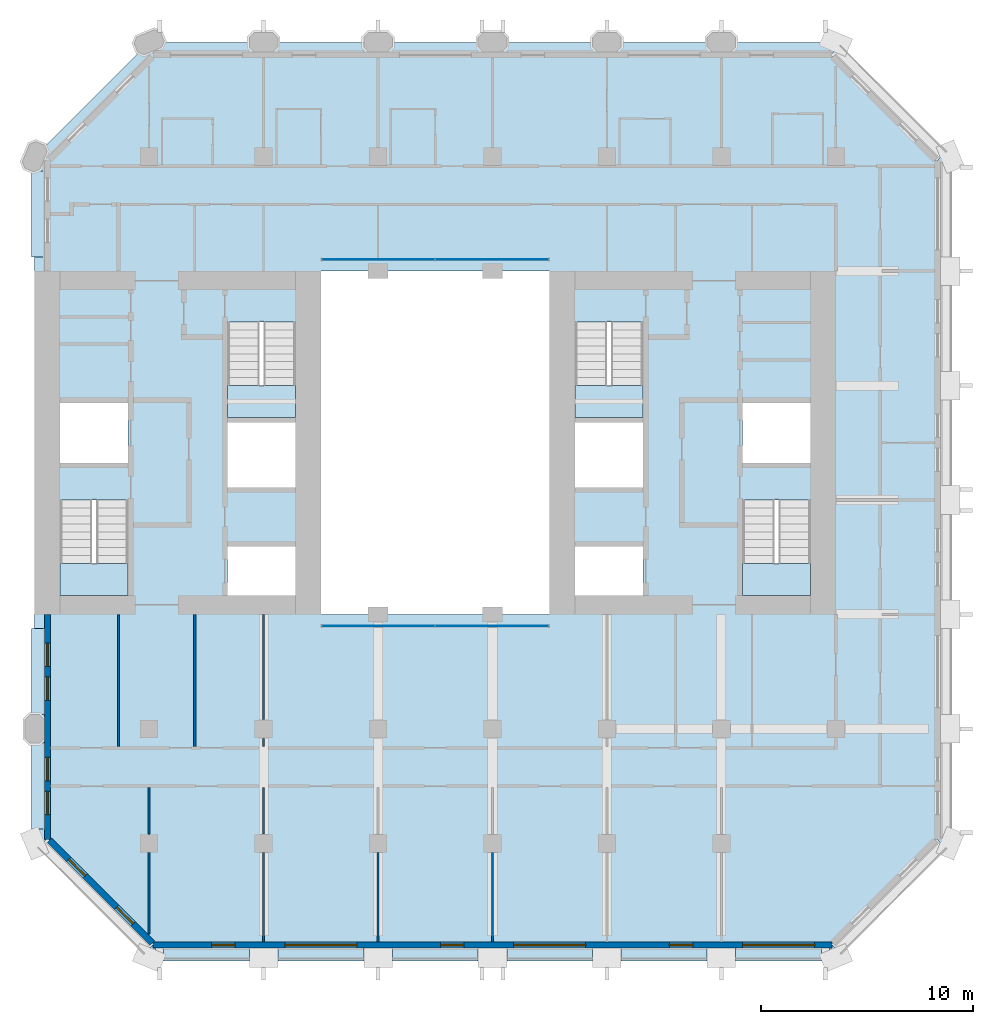
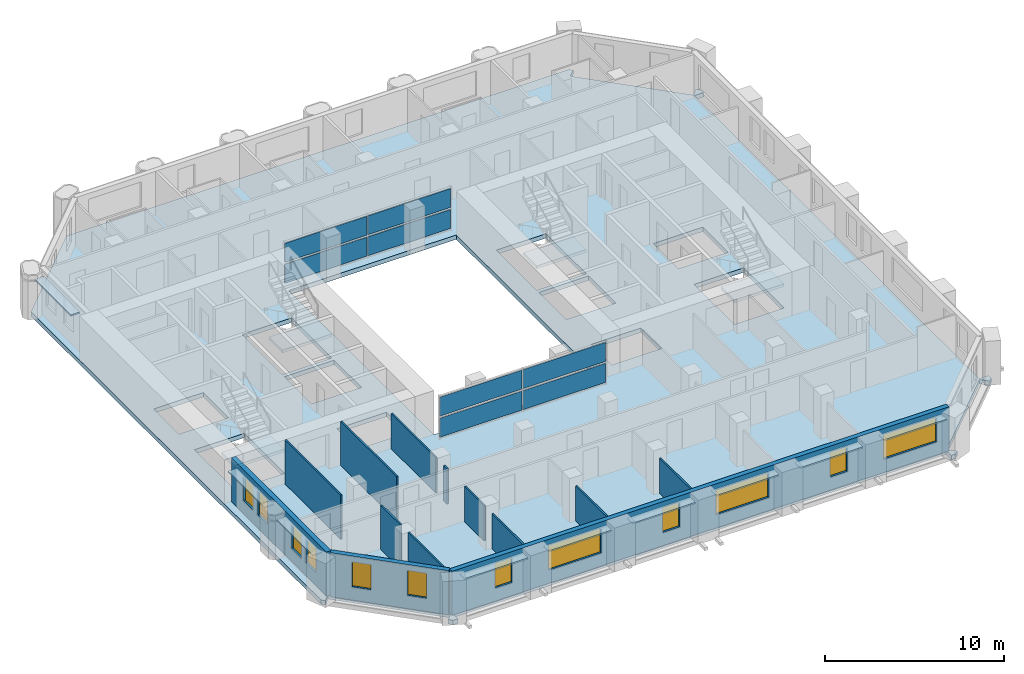
# One storey, part 5 of 13: 17 plates, 13 walls, 12 windows, 5 slabs, 12 openings, 6 elements without a shape of their own.
"""IFC4 building model written with IfcOpenShell, lengths in metres."""

from ifc_helpers import new_model, si_unit, direction, frame, frame_2d, origin, origin_2d, place, context, subcontext, project, spatial, polyline, rectangle, outline, extrude, material, layer, layer_set, type_object, element, fill, aggregate, save


model = new_model("IFC4")

# Units and contexts
model_context = context("Model", 3, precision=1e-05, world=origin(), true_north=direction((0.0, 1.0)))
body_context = subcontext(model_context, "Body", "Model", "MODEL_VIEW")
ifc_project = project(units=[si_unit("LENGTHUNIT", "METRE"), si_unit("AREAUNIT", "SQUARE_METRE"), si_unit("VOLUMEUNIT", "CUBIC_METRE"), si_unit("PLANEANGLEUNIT", "RADIAN"), si_unit("MASSUNIT", "GRAM", prefix="KILO")], contexts=[model_context])

# Site, building, storey
site_placement = place(None, origin())
site = spatial("IfcSite", under=ifc_project, at=site_placement, CompositionType="ELEMENT")
building_placement = place(site_placement, origin())
building = spatial("IfcBuilding", under=site, at=building_placement, Name="Tabaq Tower and Sports Hall", CompositionType="ELEMENT")
storey_placement = place(building_placement, frame((0.0, 0.0, 169.300048828125)))
storey = spatial("IfcBuildingStorey", under=building, at=storey_placement, Name="L40", CompositionType="ELEMENT", Elevation=169.300048828125)

# Curtain wall, plates
ifc_material_1 = material(Name="Aluminium alloy 6063-T6 framed glazing", Category="aluminium")
curtain_wall_type = type_object("IfcCurtainWallType", Name="CW1 curtain wall", PredefinedType="USERDEFINED", material=ifc_material_1)
curtain_wall_1_placement = place(storey_placement, origin())
curtain_wall_1 = element("IfcCurtainWall", 1, at=curtain_wall_1_placement, inside=storey, type_object=curtain_wall_type, Name="Atrium glazing L40 S", ObjectType="ATRIUM ENCLOSURE", PredefinedType="USERDEFINED")
ifc_material_2 = material(Name="Clear low-emissivity glass 28 mm", Category="glass")
ifc_layer_1 = layer(ifc_material_2, 0.028076171875)
ifc_layer_set_1 = layer_set([ifc_layer_1], Name="CW1 glass panel 28")
plate_type_1 = type_object("IfcPlateType", Name="CW1 glass panel 28", PredefinedType="CURTAIN_PANEL", material=ifc_layer_set_1)
plate_1_placement = place(storey_placement, frame((21.614990234375, 15.64990234375, 0.139892578125), z_axis=(0.0, 0.0, 1.0), x_axis=(1.0, 0.0, 0.0)))
plate_1 = element("IfcPlate", 2, at=plate_1_placement, type_object=plate_type_1, Name="CW1 panel 1.1", PredefinedType="CURTAIN_PANEL", context=body_context, shape_type="SweptSolid", body=[
    extrude(rectangle(XDim=5.31005859375, YDim=0.028076171875, at=origin_2d()), origin(), (0.0, 0.0, 1.0), 1.2900390625),
])
plate_2_placement = place(storey_placement, frame((21.614990234375, 15.64990234375, 1.56982421875), z_axis=(0.0, 0.0, 1.0), x_axis=(1.0, 0.0, 0.0)))
plate_2 = element("IfcPlate", 3, at=plate_2_placement, type_object=plate_type_1, Name="CW1 panel 1.2", PredefinedType="CURTAIN_PANEL", context=body_context, shape_type="SweptSolid", body=[
    extrude(rectangle(XDim=5.31005859375, YDim=0.028076171875, at=origin_2d()), origin(), (0.0, 0.0, 1.0), 1.2900390625),
])
plate_3_placement = place(storey_placement, frame((26.985107421875, 15.64990234375, 0.139892578125), z_axis=(0.0, 0.0, 1.0), x_axis=(1.0, 0.0, 0.0)))
plate_3 = element("IfcPlate", 4, at=plate_3_placement, type_object=plate_type_1, Name="CW1 panel 2.1", PredefinedType="CURTAIN_PANEL", context=body_context, shape_type="SweptSolid", body=[
    extrude(rectangle(XDim=5.31005859375, YDim=0.028076171875, at=origin_2d()), origin(), (0.0, 0.0, 1.0), 1.2900390625),
])
plate_4_placement = place(storey_placement, frame((26.985107421875, 15.64990234375, 1.56982421875), z_axis=(0.0, 0.0, 1.0), x_axis=(1.0, 0.0, 0.0)))
plate_4 = element("IfcPlate", 5, at=plate_4_placement, type_object=plate_type_1, Name="CW1 panel 2.2", PredefinedType="CURTAIN_PANEL", context=body_context, shape_type="SweptSolid", body=[
    extrude(rectangle(XDim=5.31005859375, YDim=0.028076171875, at=origin_2d()), origin(), (0.0, 0.0, 1.0), 1.2900390625),
])
aggregate(curtain_wall_1, [plate_1, plate_2, plate_3, plate_4])

curtain_wall_2_placement = place(storey_placement, origin())
curtain_wall_2 = element("IfcCurtainWall", 6, at=curtain_wall_2_placement, inside=storey, type_object=curtain_wall_type, Name="Atrium glazing L40 N", ObjectType="ATRIUM ENCLOSURE", PredefinedType="USERDEFINED")
plate_5_placement = place(storey_placement, frame((21.614990234375, 32.949951171875, 0.139892578125), z_axis=(0.0, 0.0, 1.0), x_axis=(1.0, 0.0, 0.0)))
plate_5 = element("IfcPlate", 7, at=plate_5_placement, type_object=plate_type_1, Name="CW1 panel 1.1", PredefinedType="CURTAIN_PANEL", context=body_context, shape_type="SweptSolid", body=[
    extrude(rectangle(XDim=5.31005859375, YDim=0.028076171875, at=origin_2d()), origin(), (0.0, 0.0, 1.0), 1.2900390625),
])
plate_6_placement = place(storey_placement, frame((21.614990234375, 32.949951171875, 1.56982421875), z_axis=(0.0, 0.0, 1.0), x_axis=(1.0, 0.0, 0.0)))
plate_6 = element("IfcPlate", 8, at=plate_6_placement, type_object=plate_type_1, Name="CW1 panel 1.2", PredefinedType="CURTAIN_PANEL", context=body_context, shape_type="SweptSolid", body=[
    extrude(rectangle(XDim=5.31005859375, YDim=0.028076171875, at=origin_2d()), origin(), (0.0, 0.0, 1.0), 1.2900390625),
])
plate_7_placement = place(storey_placement, frame((26.985107421875, 32.949951171875, 0.139892578125), z_axis=(0.0, 0.0, 1.0), x_axis=(1.0, 0.0, 0.0)))
plate_7 = element("IfcPlate", 9, at=plate_7_placement, type_object=plate_type_1, Name="CW1 panel 2.1", PredefinedType="CURTAIN_PANEL", context=body_context, shape_type="SweptSolid", body=[
    extrude(rectangle(XDim=5.31005859375, YDim=0.028076171875, at=origin_2d()), origin(), (0.0, 0.0, 1.0), 1.2900390625),
])
plate_8_placement = place(storey_placement, frame((26.985107421875, 32.949951171875, 1.56982421875), z_axis=(0.0, 0.0, 1.0), x_axis=(1.0, 0.0, 0.0)))
plate_8 = element("IfcPlate", 10, at=plate_8_placement, type_object=plate_type_1, Name="CW1 panel 2.2", PredefinedType="CURTAIN_PANEL", context=body_context, shape_type="SweptSolid", body=[
    extrude(rectangle(XDim=5.31005859375, YDim=0.028076171875, at=origin_2d()), origin(), (0.0, 0.0, 1.0), 1.2900390625),
])
aggregate(curtain_wall_2, [plate_5, plate_6, plate_7, plate_8])

# Stair, slab
ifc_material_3 = material(Name="Concrete C40/50", Category="concrete")
stair_type = type_object("IfcStairType", Name="Exit stair", PredefinedType="HALF_TURN_STAIR", material=ifc_material_3)
stair_1_placement = place(storey_placement, origin())
stair_1 = element("IfcStair", 11, at=stair_1_placement, inside=storey, type_object=stair_type, Name="L40 Exit stair ST1", PredefinedType="HALF_TURN_STAIR")
ifc_material_4 = material(Name="Concrete C40/50", Category="concrete")
ifc_layer_2 = layer(ifc_material_4, 0.199951171875)
ifc_layer_set_2 = layer_set([ifc_layer_2], Name="Exit stair landing")
slab_type_1 = type_object("IfcSlabType", Name="Exit stair landing", PredefinedType="LANDING", material=ifc_layer_set_2)
slab_1_placement = place(storey_placement, frame((0.0, 0.0, 1.449951171875)))
slab_1 = element("IfcSlab", 12, at=slab_1_placement, type_object=slab_type_1, Name="ST1 landing 1", PredefinedType="LANDING", context=body_context, shape_type="SweptSolid", body=[
    extrude(outline(polyline([(6.60009765625, 18.60009765625), (6.60009765625, 17.10009765625), (9.800048828125, 17.10009765625), (9.800048828125, 18.60009765625), (6.60009765625, 18.60009765625)])), origin(), (0.0, 0.0, 1.0), 0.199951171875),
])
aggregate(stair_1, [slab_1])

stair_2_placement = place(storey_placement, origin())
stair_2 = element("IfcStair", 13, at=stair_2_placement, inside=storey, type_object=stair_type, Name="L40 Exit stair ST2", PredefinedType="HALF_TURN_STAIR")
slab_2_placement = place(storey_placement, frame((0.0, 0.0, 1.449951171875)))
slab_2 = element("IfcSlab", 14, at=slab_2_placement, type_object=slab_type_1, Name="ST2 landing 1", PredefinedType="LANDING", context=body_context, shape_type="SweptSolid", body=[
    extrude(outline(polyline([(14.5, 27.0), (14.5, 25.5), (17.699951171875, 25.5), (17.699951171875, 27.0), (14.5, 27.0)])), origin(), (0.0, 0.0, 1.0), 0.199951171875),
])
aggregate(stair_2, [slab_2])

stair_3_placement = place(storey_placement, origin())
stair_3 = element("IfcStair", 15, at=stair_3_placement, inside=storey, type_object=stair_type, Name="L40 Exit stair ST3", PredefinedType="HALF_TURN_STAIR")
slab_3_placement = place(storey_placement, frame((0.0, 0.0, 1.449951171875)))
slab_3 = element("IfcSlab", 16, at=slab_3_placement, type_object=slab_type_1, Name="ST3 landing 1", PredefinedType="LANDING", context=body_context, shape_type="SweptSolid", body=[
    extrude(outline(polyline([(38.800048828125, 18.60009765625), (38.800048828125, 17.10009765625), (42.0, 17.10009765625), (42.0, 18.60009765625), (38.800048828125, 18.60009765625)])), origin(), (0.0, 0.0, 1.0), 0.199951171875),
])
aggregate(stair_3, [slab_3])

stair_4_placement = place(storey_placement, origin())
stair_4 = element("IfcStair", 17, at=stair_4_placement, inside=storey, type_object=stair_type, Name="L40 Exit stair ST4", PredefinedType="HALF_TURN_STAIR")
slab_4_placement = place(storey_placement, frame((0.0, 0.0, 1.449951171875)))
slab_4 = element("IfcSlab", 18, at=slab_4_placement, type_object=slab_type_1, Name="ST4 landing 1", PredefinedType="LANDING", context=body_context, shape_type="SweptSolid", body=[
    extrude(outline(polyline([(30.89990234375, 27.0), (30.89990234375, 25.5), (34.10009765625, 25.5), (34.10009765625, 27.0), (30.89990234375, 27.0)])), origin(), (0.0, 0.0, 1.0), 0.199951171875),
])
aggregate(stair_4, [slab_4])

# Slab
ifc_material_5 = material(Name="Concrete C40/50", Category="concrete")
ifc_layer_3 = layer(ifc_material_5, 0.300048828125)
ifc_layer_set_3 = layer_set([ifc_layer_3], Name="PT FLOOR SLAB 300 C40/50")
slab_type_2 = type_object("IfcSlabType", Name="PT FLOOR SLAB 300 C40/50", PredefinedType="FLOOR", material=ifc_layer_set_3)
slab_5_placement = place(storey_placement, frame((0.0, 0.0, -0.300048828125)))
element("IfcSlab", 19, at=slab_5_placement, inside=storey, type_object=slab_type_2, Name="Floor Slab L40", PredefinedType="FLOOR", context=body_context, shape_type="SweptSolid", body=[
    extrude(outline(polyline([(5.39990234375, 37.800048828125), (5.39990234375, 5.39990234375), (5.57666015625, 5.22314453125), (5.930419921875, 5.57666015625), (6.0009765625, 5.6474609375), (11.01318359375, 0.63525390625), (10.5888671875, 0.211181640625), (10.800048828125, 0.0), (11.0986328125, 0.0), (11.0986328125, 0.5), (11.0986328125, 0.60009765625), (42.9013671875, 0.60009765625), (42.9013671875, 0.5), (42.9013671875, 0.0), (43.199951171875, 0.0), (43.4111328125, 0.211181640625), (42.98681640625, 0.63525390625), (47.964599609375, 5.61328125), (48.035400390625, 5.54248046875), (48.388916015625, 5.18896484375), (48.60009765625, 5.39990234375), (48.60009765625, 5.698486328125), (48.10009765625, 5.698486328125), (48.0, 5.698486328125), (48.0, 37.50146484375), (48.10009765625, 37.50146484375), (48.60009765625, 37.50146484375), (48.60009765625, 37.800048828125), (48.388916015625, 38.010986328125), (48.035400390625, 37.657470703125), (47.964599609375, 37.5869140625), (42.952392578125, 42.598876953125), (43.023193359375, 42.669677734375), (43.376708984375, 43.023193359375), (43.199951171875, 43.199951171875), (10.800048828125, 43.199951171875), (5.39990234375, 37.800048828125)]), holes=[polyline([(14.5, 19.39990234375), (17.699951171875, 19.39990234375), (17.699951171875, 17.10009765625), (14.5, 17.10009765625), (14.5, 19.39990234375)]), polyline([(6.60009765625, 21.599365234375), (9.800048828125, 21.599365234375), (9.800048828125, 17.10009765625), (6.60009765625, 17.10009765625), (6.60009765625, 21.599365234375)]), polyline([(14.5, 25.25), (17.699951171875, 25.25), (17.699951171875, 22.199951171875), (14.5, 22.199951171875), (14.5, 25.25)]), polyline([(18.89990234375, 32.39990234375), (29.699951171875, 32.39990234375), (29.699951171875, 16.199951171875), (18.89990234375, 16.199951171875), (18.89990234375, 32.39990234375)]), polyline([(9.800048828125, 26.175048828125), (9.800048828125, 23.35009765625), (6.60009765625, 23.35009765625), (6.60009765625, 26.175048828125), (9.800048828125, 26.175048828125)]), polyline([(14.5, 29.99951171875), (17.699951171875, 29.99951171875), (17.699951171875, 25.5), (14.5, 25.5), (14.5, 29.99951171875)]), polyline([(34.10009765625, 19.39990234375), (34.10009765625, 17.10009765625), (30.89990234375, 17.10009765625), (30.89990234375, 19.39990234375), (34.10009765625, 19.39990234375)]), polyline([(42.0, 21.599365234375), (42.0, 17.10009765625), (38.800048828125, 17.10009765625), (38.800048828125, 21.599365234375), (42.0, 21.599365234375)]), polyline([(30.89990234375, 25.25), (34.10009765625, 25.25), (34.10009765625, 22.199951171875), (30.89990234375, 22.199951171875), (30.89990234375, 25.25)]), polyline([(42.0, 26.175048828125), (42.0, 23.35009765625), (38.800048828125, 23.35009765625), (38.800048828125, 26.175048828125), (42.0, 26.175048828125)]), polyline([(34.10009765625, 29.99951171875), (34.10009765625, 25.5), (30.89990234375, 25.5), (30.89990234375, 29.99951171875), (34.10009765625, 29.99951171875)])]), origin(), (0.0, 0.0, 1.0), 0.300048828125),
])

# Plates
ifc_material_6 = material(Name="White precast concrete C60/75 blade", Category="concrete")
ifc_layer_4 = layer(ifc_material_6, 0.10009765625)
ifc_layer_set_4 = layer_set([ifc_layer_4], Name="White precast concrete C60/75 sunshade 100")
plate_type_2 = type_object("IfcPlateType", Name="White precast concrete C60/75 sunshade 100", PredefinedType="USERDEFINED", material=ifc_layer_set_4)
for number, where, z_axis, x_axis, name in (
    (20, (13.5, 0.14990234375, 2.599853515625), (0.0, 0.0, 1.0), (1.0, 0.0, 0.0), "Sunshade L40 S"),
    (21, (18.89990234375, 0.14990234375, 2.599853515625), (0.0, 0.0, 1.0), (1.0, 0.0, 0.0), "Sunshade L40 S"),
    (22, (24.300048828125, 0.14990234375, 2.599853515625), (0.0, 0.0, 1.0), (1.0, 0.0, 0.0), "Sunshade L40 S"),
    (23, (29.699951171875, 0.14990234375, 2.599853515625), (0.0, 0.0, 1.0), (1.0, 0.0, 0.0), "Sunshade L40 S"),
    (24, (35.10009765625, 0.14990234375, 2.599853515625), (0.0, 0.0, 1.0), (1.0, 0.0, 0.0), "Sunshade L40 S"),
    (25, (40.5, 0.14990234375, 2.599853515625), (0.0, 0.0, 1.0), (1.0, 0.0, 0.0), "Sunshade L40 S"),
    (26, (5.550048828125, 35.10009765625, 2.599853515625), (0.0, 0.0, 1.0), (0.0, -1.0, 0.0), "Sunshade L40 W"),
    (27, (5.550048828125, 13.5, 2.599853515625), (0.0, 0.0, 1.0), (0.0, -1.0, 0.0), "Sunshade L40 W"),
    (28, (5.550048828125, 8.10009765625, 2.599853515625), (0.0, 0.0, 1.0), (0.0, -1.0, 0.0), "Sunshade L40 W"),
):
    element("IfcPlate", number, at=place(storey_placement, frame(where, z_axis=z_axis, x_axis=x_axis)), inside=storey, type_object=plate_type_2, Name=name, ObjectType="SUNSHADE", PredefinedType="USERDEFINED", context=body_context, shape_type="SweptSolid", body=[
        extrude(rectangle(XDim=4.050048828125, YDim=0.60009765625, at=origin_2d()), origin(), (0.0, 0.0, 1.0), 0.10009765625),
    ])

# Walls
ifc_material_7 = material(Name="Gypsum board on steel studs", Category="steel")
ifc_layer_5 = layer(ifc_material_7, 0.10009765625)
ifc_layer_set_5 = layer_set([ifc_layer_5], Name="Partition 100 Gypsum board")
wall_type_1 = type_object("IfcWallType", Name="Partition 100 Gypsum board", PredefinedType="PARTITIONING", material=ifc_layer_set_5)
wall_1_placement = place(storey_placement, frame((10.800048828125, 1.112060546875, 0.0), z_axis=(0.0, 0.0, 1.0), x_axis=(0.0, 1.0, 0.0)))
element("IfcWall", 29, at=wall_1_placement, inside=storey, type_object=wall_type_1, Name="Partition wall L40", PredefinedType="PARTITIONING", context=body_context, shape_type="SweptSolid", body=[
    extrude(rectangle(XDim=3.843017578125, YDim=0.10009765625, at=frame_2d((1.92138671875, 0.0))), origin(), (0.0, 0.0, 1.0), 3.0),
])
wall_2_placement = place(storey_placement, frame((10.800048828125, 5.844970703125, 0.0), z_axis=(0.0, 0.0, 1.0), x_axis=(0.0, 1.0, 0.0)))
element("IfcWall", 30, at=wall_2_placement, inside=storey, type_object=wall_type_1, Name="Partition wall L40", PredefinedType="PARTITIONING", context=body_context, shape_type="SweptSolid", body=[
    extrude(rectangle(XDim=2.179931640625, YDim=0.10009765625, at=frame_2d((1.08984375, 0.0))), origin(), (0.0, 0.0, 1.0), 3.0),
])
wall_3_placement = place(storey_placement, frame((16.199951171875, 0.7509765625, 0.0), z_axis=(0.0, 0.0, 1.0), x_axis=(0.0, 1.0, 0.0)))
element("IfcWall", 31, at=wall_3_placement, inside=storey, type_object=wall_type_1, Name="Partition wall L40", PredefinedType="PARTITIONING", context=body_context, shape_type="SweptSolid", body=[
    extrude(rectangle(XDim=4.2041015625, YDim=0.10009765625, at=frame_2d((2.10205078125, 0.0))), origin(), (0.0, 0.0, 1.0), 2.39990234375),
])
wall_4_placement = place(storey_placement, frame((16.199951171875, 5.844970703125, 0.0), z_axis=(0.0, 0.0, 1.0), x_axis=(0.0, 1.0, 0.0)))
element("IfcWall", 32, at=wall_4_placement, inside=storey, type_object=wall_type_1, Name="Partition wall L40", PredefinedType="PARTITIONING", context=body_context, shape_type="SweptSolid", body=[
    extrude(rectangle(XDim=2.179931640625, YDim=0.10009765625, at=frame_2d((1.08984375, 0.0))), origin(), (0.0, 0.0, 1.0), 2.39990234375),
])
for number, where, z_axis, x_axis, name in (
    (33, (21.60009765625, 0.7509765625, 0.0), (0.0, 0.0, 1.0), (0.0, 1.0, 0.0), "Partition wall L40"),
    (34, (27.0, 0.7509765625, 0.0), (0.0, 0.0, 1.0), (0.0, 1.0, 0.0), "Partition wall L40"),
):
    element("IfcWall", number, at=place(storey_placement, frame(where, z_axis=z_axis, x_axis=x_axis)), inside=storey, type_object=wall_type_1, Name=name, PredefinedType="PARTITIONING", context=body_context, shape_type="SweptSolid", body=[
        extrude(rectangle(XDim=4.2041015625, YDim=0.10009765625, at=frame_2d((2.10205078125, 0.0))), origin(), (0.0, 0.0, 1.0), 2.39990234375),
    ])
wall_5_placement = place(storey_placement, frame((16.199951171875, 16.199951171875, 0.0), z_axis=(0.0, 0.0, 1.0), x_axis=(0.0, -1.0, 0.0)))
element("IfcWall", 35, at=wall_5_placement, inside=storey, type_object=wall_type_1, Name="Partition wall L40", PredefinedType="PARTITIONING", context=body_context, shape_type="SweptSolid", body=[
    extrude(rectangle(XDim=4.954833984375, YDim=0.10009765625, at=frame_2d((2.4775390625, 0.0))), origin(), (0.0, 0.0, 1.0), 2.39990234375),
])
wall_6_placement = place(storey_placement, frame((16.199951171875, 10.35498046875, 0.0), z_axis=(0.0, 0.0, 1.0), x_axis=(0.0, -1.0, 0.0)))
element("IfcWall", 36, at=wall_6_placement, inside=storey, type_object=wall_type_1, Name="Partition wall L40", PredefinedType="PARTITIONING", context=body_context, shape_type="SweptSolid", body=[
    extrude(rectangle(XDim=0.3798828125, YDim=0.10009765625, at=frame_2d((0.18994140625, 0.0))), origin(), (0.0, 0.0, 1.0), 2.39990234375),
])
for number, where, z_axis, x_axis, name in (
    (37, (9.35009765625, 16.199951171875, 0.0), (0.0, 0.0, 1.0), (0.0, -1.0, 0.0), "Partition wall L40"),
    (38, (12.949951171875, 9.97509765625, 0.0), (0.0, 0.0, 1.0), (0.0, 1.0, 0.0), "Partition wall L40"),
):
    element("IfcWall", number, at=place(storey_placement, frame(where, z_axis=z_axis, x_axis=x_axis)), inside=storey, type_object=wall_type_1, Name=name, PredefinedType="PARTITIONING", context=body_context, shape_type="SweptSolid", body=[
        extrude(rectangle(XDim=6.224853515625, YDim=0.10009765625, at=frame_2d((3.1123046875, 0.0))), origin(), (0.0, 0.0, 1.0), 3.0),
    ])

# Wall, openings, windows
ifc_material_8 = material(Name="White precast concrete C60/75", Category="concrete")
ifc_layer_6 = layer(ifc_material_8, 0.300048828125)
ifc_layer_set_6 = layer_set([ifc_layer_6], Name="White precast concrete C60/75 external wall 300")
wall_type_2 = type_object("IfcWallType", Name="White precast concrete C60/75 external wall 300", PredefinedType="SOLIDWALL", material=ifc_layer_set_6)
wall_7_placement = place(storey_placement, frame((10.986328125, 0.60009765625, 0.0), z_axis=(0.0, 0.0, 1.0), x_axis=(1.0, 0.0, 0.0)))
wall_7 = element("IfcWall", 39, at=wall_7_placement, inside=storey, type_object=wall_type_2, Name="External Wall L40 S", PredefinedType="SOLIDWALL", context=body_context, shape_type="SweptSolid", body=[
    extrude(rectangle(XDim=32.02734375, YDim=0.300048828125, at=frame_2d((16.013671875, 0.0))), origin(), (0.0, 0.0, 1.0), 3.0),
])
opening_1_placement = place(wall_7_placement, frame((2.763671875, 0.0, 0.89990234375)))
opening_1 = element("IfcOpeningElement", 40, at=opening_1_placement, cuts=wall_7, Name="Opening W1B", PredefinedType="OPENING", context=body_context, shape_type="SweptSolid", body=[
    extrude(rectangle(XDim=1.10009765625, YDim=1.699951171875, at=frame_2d((0.550048828125, 0.85009765625))), frame((0.0, 0.16015625, 0.0), z_axis=(0.0, -1.0, 0.0), x_axis=(1.0, 0.0, 0.0)), (0.0, 0.0, 1.0), 0.320068359375),
])
opening_2_placement = place(wall_7_placement, frame((6.213623046875, 0.0, 0.89990234375)))
opening_2 = element("IfcOpeningElement", 41, at=opening_2_placement, cuts=wall_7, Name="Opening W1A", PredefinedType="OPENING", context=body_context, shape_type="SweptSolid", body=[
    extrude(rectangle(XDim=3.39990234375, YDim=1.699951171875, at=frame_2d((1.699951171875, 0.85009765625))), frame((0.0, 0.16015625, 0.0), z_axis=(0.0, -1.0, 0.0), x_axis=(1.0, 0.0, 0.0)), (0.0, 0.0, 1.0), 0.320068359375),
])
opening_3_placement = place(wall_7_placement, frame((13.563720703125, 0.0, 0.89990234375)))
opening_3 = element("IfcOpeningElement", 42, at=opening_3_placement, cuts=wall_7, Name="Opening W1B", PredefinedType="OPENING", context=body_context, shape_type="SweptSolid", body=[
    extrude(rectangle(XDim=1.10009765625, YDim=1.699951171875, at=frame_2d((0.550048828125, 0.85009765625))), frame((0.0, 0.16015625, 0.0), z_axis=(0.0, -1.0, 0.0), x_axis=(1.0, 0.0, 0.0)), (0.0, 0.0, 1.0), 0.320068359375),
])
opening_4_placement = place(wall_7_placement, frame((17.013671875, 0.0, 0.89990234375)))
opening_4 = element("IfcOpeningElement", 43, at=opening_4_placement, cuts=wall_7, Name="Opening W1A", PredefinedType="OPENING", context=body_context, shape_type="SweptSolid", body=[
    extrude(rectangle(XDim=3.39990234375, YDim=1.699951171875, at=frame_2d((1.699951171875, 0.85009765625))), frame((0.0, 0.16015625, 0.0), z_axis=(0.0, -1.0, 0.0), x_axis=(1.0, 0.0, 0.0)), (0.0, 0.0, 1.0), 0.320068359375),
])
opening_5_placement = place(wall_7_placement, frame((24.363525390625, 0.0, 0.89990234375)))
opening_5 = element("IfcOpeningElement", 44, at=opening_5_placement, cuts=wall_7, Name="Opening W1B", PredefinedType="OPENING", context=body_context, shape_type="SweptSolid", body=[
    extrude(rectangle(XDim=1.10009765625, YDim=1.699951171875, at=frame_2d((0.550048828125, 0.85009765625))), frame((0.0, 0.16015625, 0.0), z_axis=(0.0, -1.0, 0.0), x_axis=(1.0, 0.0, 0.0)), (0.0, 0.0, 1.0), 0.320068359375),
])
opening_6_placement = place(wall_7_placement, frame((27.813720703125, 0.0, 0.89990234375)))
opening_6 = element("IfcOpeningElement", 45, at=opening_6_placement, cuts=wall_7, Name="Opening W1A", PredefinedType="OPENING", context=body_context, shape_type="SweptSolid", body=[
    extrude(rectangle(XDim=3.39990234375, YDim=1.699951171875, at=frame_2d((1.699951171875, 0.85009765625))), frame((0.0, 0.16015625, 0.0), z_axis=(0.0, -1.0, 0.0), x_axis=(1.0, 0.0, 0.0)), (0.0, 0.0, 1.0), 0.320068359375),
])
ifc_material_9 = material(Name="Aluminium framed clear glazing", Category="aluminium")
window_type_1 = type_object("IfcWindowType", Name="Window W1A", PartitioningType="SINGLE_PANEL", PredefinedType="WINDOW", material=ifc_material_9)
window_1_placement = place(opening_2_placement, origin())
window_1 = element("IfcWindow", 46, at=window_1_placement, inside=storey, type_object=window_type_1, Name="Window W1A L40", OverallHeight=1.699951171875, OverallWidth=3.39990234375, PartitioningType="SINGLE_PANEL", PredefinedType="WINDOW", context=body_context, shape_type="SweptSolid", body=[
    extrude(rectangle(XDim=3.39990234375, YDim=1.699951171875, at=frame_2d((1.699951171875, 0.85009765625))), frame((0.0, 0.030029296875, 0.0), z_axis=(0.0, -1.0, 0.0), x_axis=(1.0, 0.0, 0.0)), (0.0, 0.0, 1.0), 0.06005859375),
])
fill(opening_2, window_1)
window_2_placement = place(opening_4_placement, origin())
window_2 = element("IfcWindow", 47, at=window_2_placement, inside=storey, type_object=window_type_1, Name="Window W1A L40", OverallHeight=1.699951171875, OverallWidth=3.39990234375, PartitioningType="SINGLE_PANEL", PredefinedType="WINDOW", context=body_context, shape_type="SweptSolid", body=[
    extrude(rectangle(XDim=3.39990234375, YDim=1.699951171875, at=frame_2d((1.699951171875, 0.85009765625))), frame((0.0, 0.030029296875, 0.0), z_axis=(0.0, -1.0, 0.0), x_axis=(1.0, 0.0, 0.0)), (0.0, 0.0, 1.0), 0.06005859375),
])
fill(opening_4, window_2)
window_3_placement = place(opening_6_placement, origin())
window_3 = element("IfcWindow", 48, at=window_3_placement, inside=storey, type_object=window_type_1, Name="Window W1A L40", OverallHeight=1.699951171875, OverallWidth=3.39990234375, PartitioningType="SINGLE_PANEL", PredefinedType="WINDOW", context=body_context, shape_type="SweptSolid", body=[
    extrude(rectangle(XDim=3.39990234375, YDim=1.699951171875, at=frame_2d((1.699951171875, 0.85009765625))), frame((0.0, 0.030029296875, 0.0), z_axis=(0.0, -1.0, 0.0), x_axis=(1.0, 0.0, 0.0)), (0.0, 0.0, 1.0), 0.06005859375),
])
fill(opening_6, window_3)
ifc_material_10 = material(Name="Aluminium framed clear glazing", Category="aluminium")
window_type_2 = type_object("IfcWindowType", Name="Window W1B", PartitioningType="SINGLE_PANEL", PredefinedType="WINDOW", material=ifc_material_10)
window_4_placement = place(opening_1_placement, origin())
window_4 = element("IfcWindow", 49, at=window_4_placement, inside=storey, type_object=window_type_2, Name="Window W1B L40", OverallHeight=1.699951171875, OverallWidth=1.10009765625, PartitioningType="SINGLE_PANEL", PredefinedType="WINDOW", context=body_context, shape_type="SweptSolid", body=[
    extrude(rectangle(XDim=1.10009765625, YDim=1.699951171875, at=frame_2d((0.550048828125, 0.85009765625))), frame((0.0, 0.030029296875, 0.0), z_axis=(0.0, -1.0, 0.0), x_axis=(1.0, 0.0, 0.0)), (0.0, 0.0, 1.0), 0.06005859375),
])
fill(opening_1, window_4)
window_5_placement = place(opening_3_placement, origin())
window_5 = element("IfcWindow", 50, at=window_5_placement, inside=storey, type_object=window_type_2, Name="Window W1B L40", OverallHeight=1.699951171875, OverallWidth=1.10009765625, PartitioningType="SINGLE_PANEL", PredefinedType="WINDOW", context=body_context, shape_type="SweptSolid", body=[
    extrude(rectangle(XDim=1.10009765625, YDim=1.699951171875, at=frame_2d((0.550048828125, 0.85009765625))), frame((0.0, 0.030029296875, 0.0), z_axis=(0.0, -1.0, 0.0), x_axis=(1.0, 0.0, 0.0)), (0.0, 0.0, 1.0), 0.06005859375),
])
fill(opening_3, window_5)
window_6_placement = place(opening_5_placement, origin())
window_6 = element("IfcWindow", 51, at=window_6_placement, inside=storey, type_object=window_type_2, Name="Window W1B L40", OverallHeight=1.699951171875, OverallWidth=1.10009765625, PartitioningType="SINGLE_PANEL", PredefinedType="WINDOW", context=body_context, shape_type="SweptSolid", body=[
    extrude(rectangle(XDim=1.10009765625, YDim=1.699951171875, at=frame_2d((0.550048828125, 0.85009765625))), frame((0.0, 0.030029296875, 0.0), z_axis=(0.0, -1.0, 0.0), x_axis=(1.0, 0.0, 0.0)), (0.0, 0.0, 1.0), 0.06005859375),
])
fill(opening_5, window_6)

wall_8_placement = place(storey_placement, frame((6.0, 16.199951171875, 0.0), z_axis=(0.0, 0.0, 1.0), x_axis=(0.0, -1.0, 0.0)))
wall_8 = element("IfcWall", 52, at=wall_8_placement, inside=storey, type_object=wall_type_2, Name="External Wall L40 W", PredefinedType="SOLIDWALL", context=body_context, shape_type="SweptSolid", body=[
    extrude(rectangle(XDim=10.613525390625, YDim=0.300048828125, at=frame_2d((5.306640625, 0.0))), origin(), (0.0, 0.0, 1.0), 3.0),
])
opening_7_placement = place(wall_8_placement, frame((1.35009765625, 0.0, 0.89990234375)))
opening_7 = element("IfcOpeningElement", 53, at=opening_7_placement, cuts=wall_8, Name="Opening W1B", PredefinedType="OPENING", context=body_context, shape_type="SweptSolid", body=[
    extrude(rectangle(XDim=1.10009765625, YDim=1.699951171875, at=frame_2d((0.550048828125, 0.85009765625))), frame((0.0, 0.16015625, 0.0), z_axis=(0.0, -1.0, 0.0), x_axis=(1.0, 0.0, 0.0)), (0.0, 0.0, 1.0), 0.320068359375),
])
opening_8_placement = place(wall_8_placement, frame((2.949951171875, 0.0, 0.89990234375)))
opening_8 = element("IfcOpeningElement", 54, at=opening_8_placement, cuts=wall_8, Name="Opening W1B", PredefinedType="OPENING", context=body_context, shape_type="SweptSolid", body=[
    extrude(rectangle(XDim=1.10009765625, YDim=1.699951171875, at=frame_2d((0.550048828125, 0.85009765625))), frame((0.0, 0.16015625, 0.0), z_axis=(0.0, -1.0, 0.0), x_axis=(1.0, 0.0, 0.0)), (0.0, 0.0, 1.0), 0.320068359375),
])
opening_9_placement = place(wall_8_placement, frame((6.75, 0.0, 0.89990234375)))
opening_9 = element("IfcOpeningElement", 55, at=opening_9_placement, cuts=wall_8, Name="Opening W1B", PredefinedType="OPENING", context=body_context, shape_type="SweptSolid", body=[
    extrude(rectangle(XDim=1.10009765625, YDim=1.699951171875, at=frame_2d((0.550048828125, 0.85009765625))), frame((0.0, 0.16015625, 0.0), z_axis=(0.0, -1.0, 0.0), x_axis=(1.0, 0.0, 0.0)), (0.0, 0.0, 1.0), 0.320068359375),
])
opening_10_placement = place(wall_8_placement, frame((8.35009765625, 0.0, 0.89990234375)))
opening_10 = element("IfcOpeningElement", 56, at=opening_10_placement, cuts=wall_8, Name="Opening W1B", PredefinedType="OPENING", context=body_context, shape_type="SweptSolid", body=[
    extrude(rectangle(XDim=1.10009765625, YDim=1.699951171875, at=frame_2d((0.550048828125, 0.85009765625))), frame((0.0, 0.16015625, 0.0), z_axis=(0.0, -1.0, 0.0), x_axis=(1.0, 0.0, 0.0)), (0.0, 0.0, 1.0), 0.320068359375),
])
window_7_placement = place(opening_7_placement, origin())
window_7 = element("IfcWindow", 57, at=window_7_placement, inside=storey, type_object=window_type_2, Name="Window W1B L40", OverallHeight=1.699951171875, OverallWidth=1.10009765625, PartitioningType="SINGLE_PANEL", PredefinedType="WINDOW", context=body_context, shape_type="SweptSolid", body=[
    extrude(rectangle(XDim=1.10009765625, YDim=1.699951171875, at=frame_2d((0.550048828125, 0.85009765625))), frame((0.0, 0.030029296875, 0.0), z_axis=(0.0, -1.0, 0.0), x_axis=(1.0, 0.0, 0.0)), (0.0, 0.0, 1.0), 0.06005859375),
])
fill(opening_7, window_7)
window_8_placement = place(opening_8_placement, origin())
window_8 = element("IfcWindow", 58, at=window_8_placement, inside=storey, type_object=window_type_2, Name="Window W1B L40", OverallHeight=1.699951171875, OverallWidth=1.10009765625, PartitioningType="SINGLE_PANEL", PredefinedType="WINDOW", context=body_context, shape_type="SweptSolid", body=[
    extrude(rectangle(XDim=1.10009765625, YDim=1.699951171875, at=frame_2d((0.550048828125, 0.85009765625))), frame((0.0, 0.030029296875, 0.0), z_axis=(0.0, -1.0, 0.0), x_axis=(1.0, 0.0, 0.0)), (0.0, 0.0, 1.0), 0.06005859375),
])
fill(opening_8, window_8)
window_9_placement = place(opening_9_placement, origin())
window_9 = element("IfcWindow", 59, at=window_9_placement, inside=storey, type_object=window_type_2, Name="Window W1B L40", OverallHeight=1.699951171875, OverallWidth=1.10009765625, PartitioningType="SINGLE_PANEL", PredefinedType="WINDOW", context=body_context, shape_type="SweptSolid", body=[
    extrude(rectangle(XDim=1.10009765625, YDim=1.699951171875, at=frame_2d((0.550048828125, 0.85009765625))), frame((0.0, 0.030029296875, 0.0), z_axis=(0.0, -1.0, 0.0), x_axis=(1.0, 0.0, 0.0)), (0.0, 0.0, 1.0), 0.06005859375),
])
fill(opening_9, window_9)
window_10_placement = place(opening_10_placement, origin())
window_10 = element("IfcWindow", 60, at=window_10_placement, inside=storey, type_object=window_type_2, Name="Window W1B L40", OverallHeight=1.699951171875, OverallWidth=1.10009765625, PartitioningType="SINGLE_PANEL", PredefinedType="WINDOW", context=body_context, shape_type="SweptSolid", body=[
    extrude(rectangle(XDim=1.10009765625, YDim=1.699951171875, at=frame_2d((0.550048828125, 0.85009765625))), frame((0.0, 0.030029296875, 0.0), z_axis=(0.0, -1.0, 0.0), x_axis=(1.0, 0.0, 0.0)), (0.0, 0.0, 1.0), 0.06005859375),
])
fill(opening_10, window_10)

wall_9_placement = place(storey_placement, frame((6.098876953125, 5.549560546875, 0.0), z_axis=(0.0, 0.0, 1.0), x_axis=(0.707106781187, -0.707106781187, 0.0)))
wall_9 = element("IfcWall", 61, at=wall_9_placement, inside=storey, type_object=wall_type_2, Name="External Wall L40 SW", PredefinedType="SOLIDWALL", context=body_context, shape_type="SweptSolid", body=[
    extrude(rectangle(XDim=6.85986328125, YDim=0.300048828125, at=frame_2d((3.429931640625, 0.0))), origin(), (0.0, 0.0, 1.0), 3.0),
])
opening_11_placement = place(wall_9_placement, frame((1.27978515625, 0.0, 0.89990234375)))
opening_11 = element("IfcOpeningElement", 62, at=opening_11_placement, cuts=wall_9, Name="Opening W1B", PredefinedType="OPENING", context=body_context, shape_type="SweptSolid", body=[
    extrude(rectangle(XDim=1.10009765625, YDim=1.699951171875, at=frame_2d((0.550048828125, 0.85009765625))), frame((0.0, 0.16015625, 0.0), z_axis=(0.0, -1.0, 0.0), x_axis=(1.0, 0.0, 0.0)), (0.0, 0.0, 1.0), 0.320068359375),
])
opening_12_placement = place(wall_9_placement, frame((4.479736328125, 0.0, 0.89990234375)))
opening_12 = element("IfcOpeningElement", 63, at=opening_12_placement, cuts=wall_9, Name="Opening W1B", PredefinedType="OPENING", context=body_context, shape_type="SweptSolid", body=[
    extrude(rectangle(XDim=1.10009765625, YDim=1.699951171875, at=frame_2d((0.550048828125, 0.85009765625))), frame((0.0, 0.16015625, 0.0), z_axis=(0.0, -1.0, 0.0), x_axis=(1.0, 0.0, 0.0)), (0.0, 0.0, 1.0), 0.320068359375),
])
window_11_placement = place(opening_11_placement, origin())
window_11 = element("IfcWindow", 64, at=window_11_placement, inside=storey, type_object=window_type_2, Name="Window W1B L40", OverallHeight=1.699951171875, OverallWidth=1.10009765625, PartitioningType="SINGLE_PANEL", PredefinedType="WINDOW", context=body_context, shape_type="SweptSolid", body=[
    extrude(rectangle(XDim=1.10009765625, YDim=1.699951171875, at=frame_2d((0.550048828125, 0.85009765625))), frame((0.0, 0.030029296875, 0.0), z_axis=(0.0, -1.0, 0.0), x_axis=(1.0, 0.0, 0.0)), (0.0, 0.0, 1.0), 0.06005859375),
])
fill(opening_11, window_11)
window_12_placement = place(opening_12_placement, origin())
window_12 = element("IfcWindow", 65, at=window_12_placement, inside=storey, type_object=window_type_2, Name="Window W1B L40", OverallHeight=1.699951171875, OverallWidth=1.10009765625, PartitioningType="SINGLE_PANEL", PredefinedType="WINDOW", context=body_context, shape_type="SweptSolid", body=[
    extrude(rectangle(XDim=1.10009765625, YDim=1.699951171875, at=frame_2d((0.550048828125, 0.85009765625))), frame((0.0, 0.030029296875, 0.0), z_axis=(0.0, -1.0, 0.0), x_axis=(1.0, 0.0, 0.0)), (0.0, 0.0, 1.0), 0.06005859375),
])
fill(opening_12, window_12)

save(model, "model.ifc")
